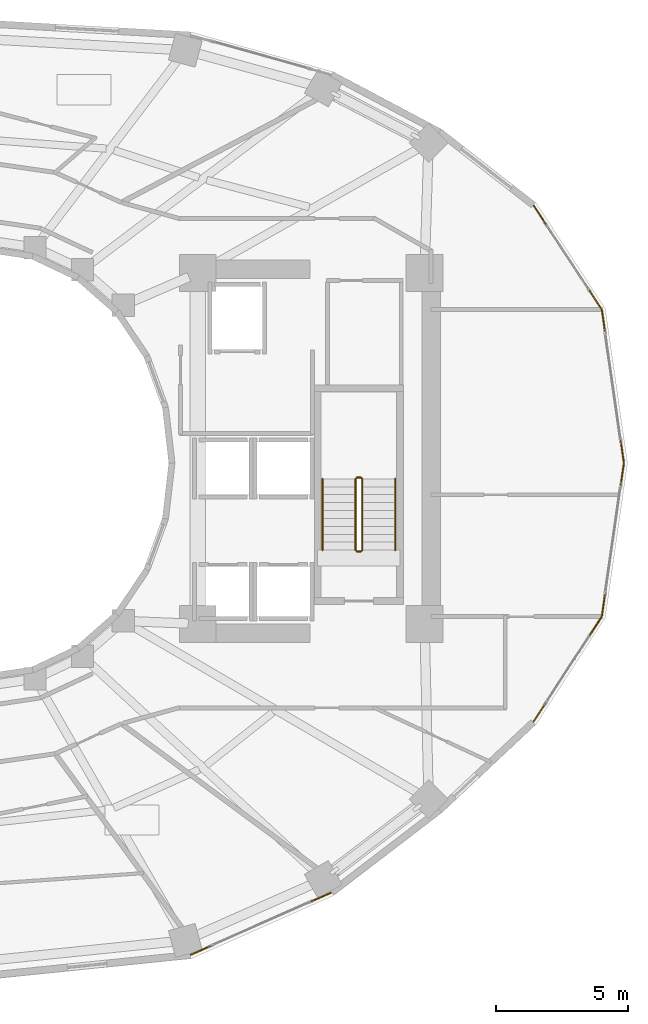
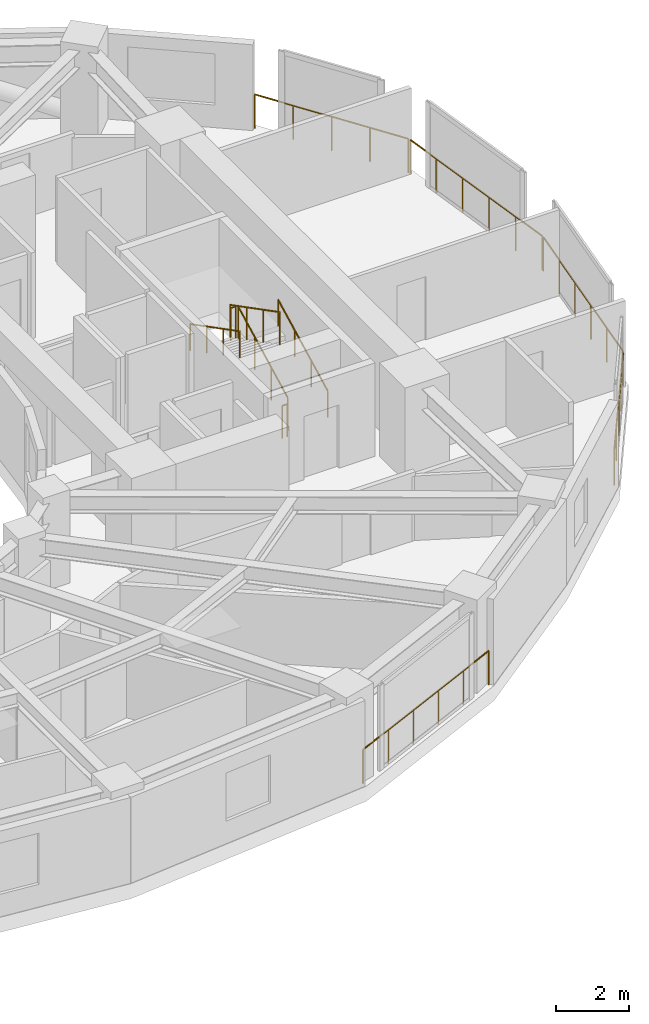
# One storey, part 17 of 18: 11 railings.
"""IFC4 building model written with IfcOpenShell, lengths in metres."""

from ifc_helpers import new_model, si_unit, direction, frame, origin, origin_2d, place, context, subcontext, project, spatial, circle, extrude, material, type_object, element, save


model = new_model("IFC4")

# Units and contexts
model_context = context("Model", 3, precision=1e-05, world=origin(), true_north=direction((0.0, 1.0)))
body_context = subcontext(model_context, "Body", "Model", "MODEL_VIEW")
ifc_project = project(units=[si_unit("LENGTHUNIT", "METRE"), si_unit("AREAUNIT", "SQUARE_METRE"), si_unit("VOLUMEUNIT", "CUBIC_METRE"), si_unit("PLANEANGLEUNIT", "RADIAN"), si_unit("MASSUNIT", "GRAM", prefix="KILO")], contexts=[model_context])

# Site, building, storey
site_placement = place(None, origin())
site = spatial("IfcSite", under=ifc_project, at=site_placement, CompositionType="ELEMENT")
building_placement = place(site_placement, origin())
building = spatial("IfcBuilding", under=site, at=building_placement, Name="Solvane Sanctuary Tower", CompositionType="ELEMENT")
storey_placement = place(building_placement, frame((0.0, 0.0, 94.89990234375)))
storey = spatial("IfcBuildingStorey", under=building, at=storey_placement, Name="L28", CompositionType="ELEMENT", Elevation=94.89990234375)

# Railings
ifc_material = material(Name="Architectural Stainless Steel 316", Category="steel")
railing_type_1 = type_object("IfcRailingType", Name="Railing GR-BALC-1150", PredefinedType="BALUSTRADE", material=ifc_material)
railing_1_placement = place(storey_placement, frame((56.255615234375, 23.02978515625, 0.0)))
element("IfcRailing", 1, at=railing_1_placement, inside=storey, type_object=railing_type_1, Name="L28 Curtain-Wall Perimeter Sill Guard 00", PredefinedType="BALUSTRADE", context=body_context, shape_type="SweptSolid", body=[
    extrude(circle(Radius=0.02392578125, at=origin_2d()), frame((0.0, 0.0, 1.1259765625), z_axis=(-0.142572582449, 0.98978434961, 0.0), x_axis=(-0.98978434961, -0.142572582449, 0.0)), (0.0, 0.0, 1.0), 5.818603515625),
    extrude(circle(Radius=0.02099609375, at=origin_2d()), origin(), (0.0, 0.0, 1.0), 1.101806640625),
    extrude(circle(Radius=0.02099609375, at=origin_2d()), frame((-0.166015625, 1.15185546875, 0.0)), (0.0, 0.0, 1.0), 1.101806640625),
    extrude(circle(Radius=0.02099609375, at=origin_2d()), frame((-0.331787109375, 2.3037109375, 0.0)), (0.0, 0.0, 1.0), 1.101806640625),
    extrude(circle(Radius=0.02099609375, at=origin_2d()), frame((-0.497802734375, 3.45556640625, 0.0)), (0.0, 0.0, 1.0), 1.101806640625),
    extrude(circle(Radius=0.02099609375, at=origin_2d()), frame((-0.66357421875, 4.607421875, 0.0)), (0.0, 0.0, 1.0), 1.101806640625),
    extrude(circle(Radius=0.02099609375, at=origin_2d()), frame((-0.82958984375, 5.75927734375, 0.0)), (0.0, 0.0, 1.0), 1.101806640625),
])
railing_2_placement = place(storey_placement, frame((55.405517578125, 28.84375, 0.0)))
element("IfcRailing", 2, at=railing_2_placement, inside=storey, type_object=railing_type_1, Name="L28 Curtain-Wall Perimeter Sill Guard 01", PredefinedType="BALUSTRADE", context=body_context, shape_type="SweptSolid", body=[
    extrude(circle(Radius=0.02392578125, at=origin_2d()), frame((0.0, 0.0, 1.1259765625), z_axis=(-0.548321711093, 0.836267481817, 0.0), x_axis=(-0.836267481817, -0.548321711093, 0.0)), (0.0, 0.0, 1.0), 4.6845703125),
    extrude(circle(Radius=0.02099609375, at=origin_2d()), origin(), (0.0, 0.0, 1.0), 1.101806640625),
    extrude(circle(Radius=0.02099609375, at=origin_2d()), frame((-0.64208984375, 0.9794921875, 0.0)), (0.0, 0.0, 1.0), 1.101806640625),
    extrude(circle(Radius=0.02099609375, at=origin_2d()), frame((-1.2841796875, 1.958740234375, 0.0)), (0.0, 0.0, 1.0), 1.101806640625),
    extrude(circle(Radius=0.02099609375, at=origin_2d()), frame((-1.926513671875, 2.93798828125, 0.0)), (0.0, 0.0, 1.0), 1.101806640625),
    extrude(circle(Radius=0.02099609375, at=origin_2d()), frame((-2.568603515625, 3.91748046875, 0.0)), (0.0, 0.0, 1.0), 1.101806640625),
])
railing_3_placement = place(storey_placement, frame((39.84375, 4.361572265625, 0.0)))
element("IfcRailing", 3, at=railing_3_placement, inside=storey, type_object=railing_type_1, Name="L28 Curtain-Wall Perimeter Sill Guard 19", PredefinedType="BALUSTRADE", context=body_context, shape_type="SweptSolid", body=[
    extrude(circle(Radius=0.02392578125, at=origin_2d()), frame((0.0, 0.0, 1.1259765625), z_axis=(0.91433335621, 0.40496236087, 0.0), x_axis=(-0.40496236087, 0.91433335621, 0.0)), (0.0, 0.0, 1.0), 5.799072265625),
    extrude(circle(Radius=0.02099609375, at=origin_2d()), origin(), (0.0, 0.0, 1.0), 1.101806640625),
    extrude(circle(Radius=0.02099609375, at=origin_2d()), frame((1.060546875, 0.4697265625, 0.0)), (0.0, 0.0, 1.0), 1.101806640625),
    extrude(circle(Radius=0.02099609375, at=origin_2d()), frame((2.120849609375, 0.939453125, 0.0)), (0.0, 0.0, 1.0), 1.101806640625),
    extrude(circle(Radius=0.02099609375, at=origin_2d()), frame((3.181396484375, 1.408935546875, 0.0)), (0.0, 0.0, 1.0), 1.101806640625),
    extrude(circle(Radius=0.02099609375, at=origin_2d()), frame((4.24169921875, 1.878662109375, 0.0)), (0.0, 0.0, 1.0), 1.101806640625),
    extrude(circle(Radius=0.02099609375, at=origin_2d()), frame((5.30224609375, 2.348388671875, 0.0)), (0.0, 0.0, 1.0), 1.101806640625),
])
railing_4_placement = place(storey_placement, frame((52.8369140625, 13.198486328125, 0.0)))
element("IfcRailing", 4, at=railing_4_placement, inside=storey, type_object=railing_type_1, Name="L28 Curtain-Wall Perimeter Sill Guard 22", PredefinedType="BALUSTRADE", context=body_context, shape_type="SweptSolid", body=[
    extrude(circle(Radius=0.02392578125, at=origin_2d()), frame((0.0, 0.0, 1.1259765625), z_axis=(0.544424382056, 0.838809926159, 0.0), x_axis=(-0.838809926159, 0.544424382056, 0.0)), (0.0, 0.0, 1.0), 4.718017578125),
    extrude(circle(Radius=0.02099609375, at=origin_2d()), origin(), (0.0, 0.0, 1.0), 1.101806640625),
    extrude(circle(Radius=0.02099609375, at=origin_2d()), frame((0.64208984375, 0.9892578125, 0.0)), (0.0, 0.0, 1.0), 1.101806640625),
    extrude(circle(Radius=0.02099609375, at=origin_2d()), frame((1.2841796875, 1.978759765625, 0.0)), (0.0, 0.0, 1.0), 1.101806640625),
    extrude(circle(Radius=0.02099609375, at=origin_2d()), frame((1.926513671875, 2.96826171875, 0.0)), (0.0, 0.0, 1.0), 1.101806640625),
    extrude(circle(Radius=0.02099609375, at=origin_2d()), frame((2.568603515625, 3.95751953125, 0.0)), (0.0, 0.0, 1.0), 1.101806640625),
])
railing_5_placement = place(storey_placement, frame((55.426025390625, 17.2109375, 0.0)))
element("IfcRailing", 5, at=railing_5_placement, inside=storey, type_object=railing_type_1, Name="L28 Curtain-Wall Perimeter Sill Guard 23", PredefinedType="BALUSTRADE", context=body_context, shape_type="SweptSolid", body=[
    extrude(circle(Radius=0.02392578125, at=origin_2d()), frame((0.0, 0.0, 1.1259765625), z_axis=(0.142572582449, 0.98978434961, 0.0), x_axis=(-0.98978434961, 0.142572582449, 0.0)), (0.0, 0.0, 1.0), 5.818603515625),
    extrude(circle(Radius=0.02099609375, at=origin_2d()), origin(), (0.0, 0.0, 1.0), 1.101806640625),
    extrude(circle(Radius=0.02099609375, at=origin_2d()), frame((0.166015625, 1.15185546875, 0.0)), (0.0, 0.0, 1.0), 1.101806640625),
    extrude(circle(Radius=0.02099609375, at=origin_2d()), frame((0.331787109375, 2.3037109375, 0.0)), (0.0, 0.0, 1.0), 1.101806640625),
    extrude(circle(Radius=0.02099609375, at=origin_2d()), frame((0.497802734375, 3.45556640625, 0.0)), (0.0, 0.0, 1.0), 1.101806640625),
    extrude(circle(Radius=0.02099609375, at=origin_2d()), frame((0.66357421875, 4.607421875, 0.0)), (0.0, 0.0, 1.0), 1.101806640625),
    extrude(circle(Radius=0.02099609375, at=origin_2d()), frame((0.82958984375, 5.75927734375, 0.0)), (0.0, 0.0, 1.0), 1.101806640625),
])
railing_6_placement = place(storey_placement, frame((46.340087890625, 19.699951171875, 0.155029296875)))
element("IfcRailing", 6, at=railing_6_placement, inside=storey, type_object=railing_type_1, Name="L28 ST-2 stair guard 1", PredefinedType="BALUSTRADE", context=body_context, shape_type="SweptSolid", body=[
    extrude(circle(Radius=0.02392578125, at=origin_2d()), frame((0.0, 0.0, 1.076171875), z_axis=(0.0, 0.888419900624, 0.459031676658), x_axis=(-1.0, 0.0, 0.0)), (0.0, 0.0, 1.0), 3.0390625),
    extrude(circle(Radius=0.02099609375, at=origin_2d()), origin(), (0.0, 0.0, 1.0), 1.052001953125),
    extrude(circle(Radius=0.02099609375, at=origin_2d()), frame((0.0, 0.89990234375, 0.465087890625)), (0.0, 0.0, 1.0), 1.052001953125),
    extrude(circle(Radius=0.02099609375, at=origin_2d()), frame((0.0, 1.800048828125, 0.929931640625)), (0.0, 0.0, 1.0), 1.052001953125),
    extrude(circle(Radius=0.02099609375, at=origin_2d()), frame((0.0, 2.699951171875, 1.39501953125)), (0.0, 0.0, 1.0), 1.052001953125),
])
railing_7_placement = place(storey_placement, frame((46.2900390625, 22.449951171875, 1.550048828125)))
element("IfcRailing", 7, at=railing_7_placement, inside=storey, type_object=railing_type_1, Name="L28 ST-2 stair guard 2", PredefinedType="BALUSTRADE", context=body_context, shape_type="SweptSolid", body=[
    extrude(circle(Radius=0.02392578125, at=origin_2d()), frame((0.0, 0.0, 1.076171875), z_axis=(-1.0, 0.0, 0.0), x_axis=(0.0, -1.0, 0.0)), (0.0, 0.0, 1.0), 0.16015625),
    extrude(circle(Radius=0.02099609375, at=origin_2d()), origin(), (0.0, 0.0, 1.0), 1.052001953125),
    extrude(circle(Radius=0.02099609375, at=origin_2d()), frame((-0.16015625, 0.0, 0.0)), (0.0, 0.0, 1.0), 1.052001953125),
])
railing_8_placement = place(storey_placement, frame((46.080078125, 22.39990234375, 1.705078125)))
element("IfcRailing", 8, at=railing_8_placement, inside=storey, type_object=railing_type_1, Name="L28 ST-2 stair guard 3", PredefinedType="BALUSTRADE", context=body_context, shape_type="SweptSolid", body=[
    extrude(circle(Radius=0.02392578125, at=origin_2d()), frame((0.0, 0.0, 1.076171875), z_axis=(0.0, -0.888419900624, 0.459031676658), x_axis=(1.0, 0.0, 0.0)), (0.0, 0.0, 1.0), 3.0390625),
    extrude(circle(Radius=0.02099609375, at=origin_2d()), origin(), (0.0, 0.0, 1.0), 1.052001953125),
    extrude(circle(Radius=0.02099609375, at=origin_2d()), frame((0.0, -0.89990234375, 0.465087890625)), (0.0, 0.0, 1.0), 1.052001953125),
    extrude(circle(Radius=0.02099609375, at=origin_2d()), frame((0.0, -1.800048828125, 0.929931640625)), (0.0, 0.0, 1.0), 1.052001953125),
    extrude(circle(Radius=0.02099609375, at=origin_2d()), frame((0.0, -2.699951171875, 1.39501953125)), (0.0, 0.0, 1.0), 1.052001953125),
])
railing_9_placement = place(storey_placement, frame((46.2900390625, 19.64990234375, 0.0)))
element("IfcRailing", 9, at=railing_9_placement, inside=storey, type_object=railing_type_1, Name="L28 ST-2 stair guard 4", PredefinedType="BALUSTRADE", context=body_context, shape_type="SweptSolid", body=[
    extrude(circle(Radius=0.02392578125, at=origin_2d()), frame((0.0, 0.0, 1.076171875), z_axis=(-1.0, 0.0, 0.0), x_axis=(0.0, -1.0, 0.0)), (0.0, 0.0, 1.0), 0.16015625),
    extrude(circle(Radius=0.02099609375, at=origin_2d()), origin(), (0.0, 0.0, 1.0), 1.052001953125),
    extrude(circle(Radius=0.02099609375, at=origin_2d()), frame((-0.16015625, 0.0, 0.0)), (0.0, 0.0, 1.0), 1.052001953125),
])
railing_type_2 = type_object("IfcRailingType", Name="Railing HR-STAIR-920", PredefinedType="HANDRAIL", material=ifc_material)
railing_10_placement = place(storey_placement, frame((47.590087890625, 19.699951171875, 0.155029296875)))
element("IfcRailing", 10, at=railing_10_placement, inside=storey, type_object=railing_type_2, Name="L28 ST-2 stair handrail 1", PredefinedType="HANDRAIL", context=body_context, shape_type="SweptSolid", body=[
    extrude(circle(Radius=0.02392578125, at=origin_2d()), frame((0.0, 0.0, 0.8759765625), z_axis=(0.0, 0.888419900624, 0.459031676658), x_axis=(-1.0, 0.0, 0.0)), (0.0, 0.0, 1.0), 3.0390625),
    extrude(circle(Radius=0.02099609375, at=origin_2d()), origin(), (0.0, 0.0, 1.0), 0.851806640625),
    extrude(circle(Radius=0.02099609375, at=origin_2d()), frame((0.0, 0.89990234375, 0.465087890625)), (0.0, 0.0, 1.0), 0.851806640625),
    extrude(circle(Radius=0.02099609375, at=origin_2d()), frame((0.0, 1.800048828125, 0.929931640625)), (0.0, 0.0, 1.0), 0.851806640625),
    extrude(circle(Radius=0.02099609375, at=origin_2d()), frame((0.0, 2.699951171875, 1.39501953125)), (0.0, 0.0, 1.0), 0.851806640625),
])
railing_11_placement = place(storey_placement, frame((44.830078125, 22.39990234375, 1.705078125)))
element("IfcRailing", 11, at=railing_11_placement, inside=storey, type_object=railing_type_2, Name="L28 ST-2 stair handrail 2", PredefinedType="HANDRAIL", context=body_context, shape_type="SweptSolid", body=[
    extrude(circle(Radius=0.02392578125, at=origin_2d()), frame((0.0, 0.0, 0.8759765625), z_axis=(0.0, -0.888419900624, 0.459031676658), x_axis=(1.0, 0.0, 0.0)), (0.0, 0.0, 1.0), 3.0390625),
    extrude(circle(Radius=0.02099609375, at=origin_2d()), origin(), (0.0, 0.0, 1.0), 0.851806640625),
    extrude(circle(Radius=0.02099609375, at=origin_2d()), frame((0.0, -0.89990234375, 0.465087890625)), (0.0, 0.0, 1.0), 0.851806640625),
    extrude(circle(Radius=0.02099609375, at=origin_2d()), frame((0.0, -1.800048828125, 0.929931640625)), (0.0, 0.0, 1.0), 0.851806640625),
    extrude(circle(Radius=0.02099609375, at=origin_2d()), frame((0.0, -2.699951171875, 1.39501953125)), (0.0, 0.0, 1.0), 0.851806640625),
])

save(model, "model.ifc")
